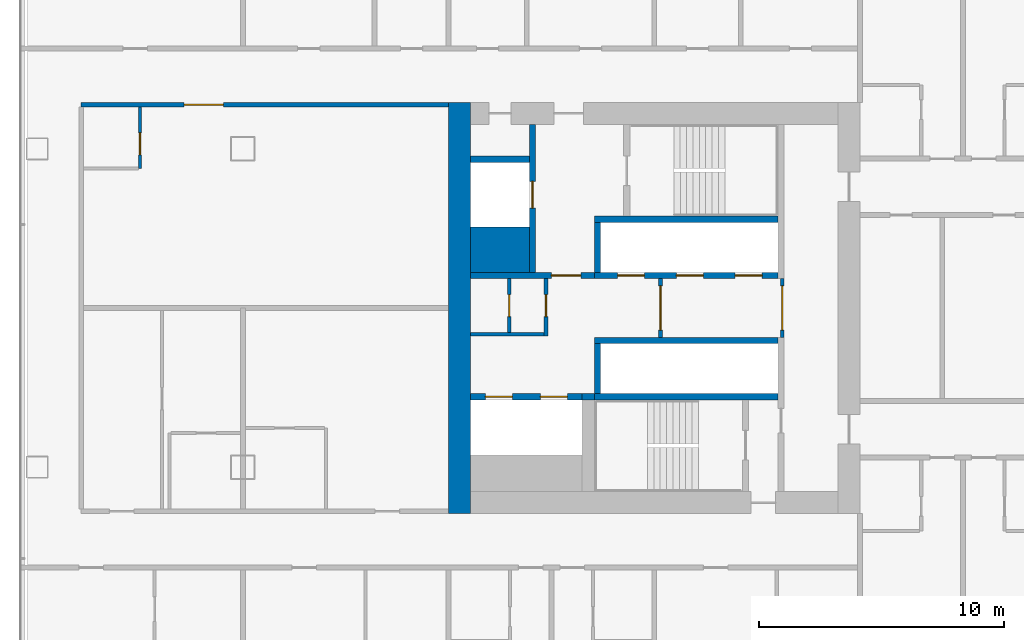
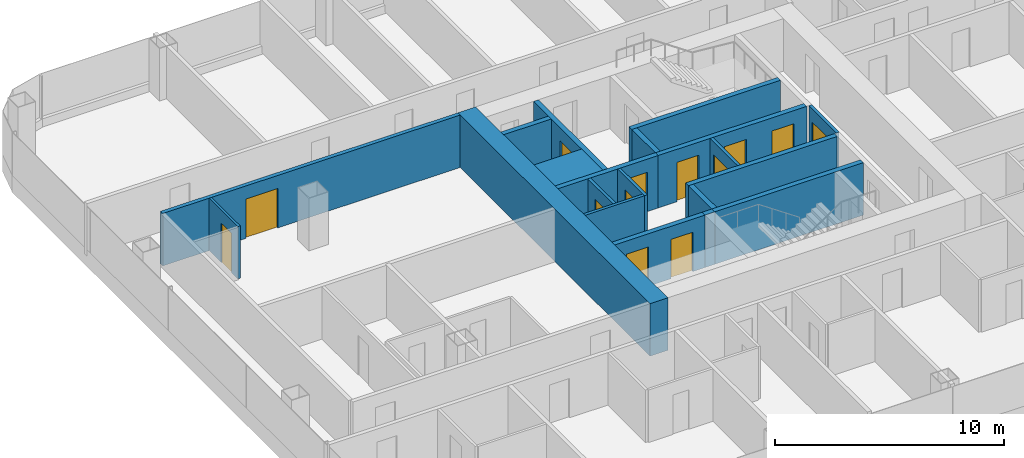
# One storey, part 14 of 29: 20 walls, 13 doors, 13 openings.
"""IFC4 building model written with IfcOpenShell, lengths in metres."""

from ifc_helpers import new_model, si_unit, direction, frame, frame_2d, origin, place, context, subcontext, project, spatial, rectangle, extrude, material, layer, layer_set, type_object, element, fill, save


model = new_model("IFC4")

# Units and contexts
model_context = context("Model", 3, precision=1e-05, world=origin(), true_north=direction((0.0, 1.0)))
body_context = subcontext(model_context, "Body", "Model", "MODEL_VIEW")
ifc_project = project(units=[si_unit("LENGTHUNIT", "METRE"), si_unit("AREAUNIT", "SQUARE_METRE"), si_unit("VOLUMEUNIT", "CUBIC_METRE"), si_unit("PLANEANGLEUNIT", "RADIAN"), si_unit("MASSUNIT", "GRAM", prefix="KILO")], contexts=[model_context])

# Site, building, storey
site_placement = place(None, origin())
site = spatial("IfcSite", under=ifc_project, at=site_placement, CompositionType="ELEMENT")
building_placement = place(site_placement, origin())
building = spatial("IfcBuilding", under=site, at=building_placement, Name="Hakoniwa Tower and Hamabe Station Hall", CompositionType="ELEMENT")
storey_placement = place(building_placement, frame((0.0, 0.0, 29.39990234375)))
storey = spatial("IfcBuildingStorey", under=building, at=storey_placement, Name="L07", CompositionType="ELEMENT", Elevation=29.39990234375)

# Wall, opening, door
ifc_material_1 = material(Name="Gypsum board partition")
ifc_layer_1 = layer(ifc_material_1, 0.14990234375)
ifc_layer_set_1 = layer_set([ifc_layer_1], Name="CORE PARTITION 150 EI 60")
wall_type_1 = type_object("IfcWallType", Name="CORE PARTITION 150 EI 60", PredefinedType="PARTITIONING", material=ifc_layer_set_1)
wall_1_placement = place(storey_placement, frame((-19.97509765625, -1.199951171875, 0.0), z_axis=(0.0, 0.0, 1.0), x_axis=(0.0, 1.0, 0.0)))
wall_1 = element("IfcWall", 1, at=wall_1_placement, inside=storey, type_object=wall_type_1, Name="Core partition PL0 west", PredefinedType="PARTITIONING", context=body_context, shape_type="SweptSolid", body=[
    extrude(rectangle(XDim=2.39990234375, YDim=0.14990234375, at=frame_2d((1.199951171875, 0.0))), origin(), (0.0, 0.0, 1.0), 2.800048828125),
])
opening_1_placement = place(wall_1_placement, frame((0.300048828125, 0.0, 0.0)))
opening_1 = element("IfcOpeningElement", 2, at=opening_1_placement, cuts=wall_1, Name="Opening CD-W-LP0-18", PredefinedType="OPENING", context=body_context, shape_type="SweptSolid", body=[
    extrude(rectangle(XDim=1.800048828125, YDim=2.10009765625, at=frame_2d((0.89990234375, 1.050048828125))), frame((0.0, 0.0849609375, 0.0), z_axis=(0.0, -1.0, 0.0), x_axis=(1.0, 0.0, 0.0)), (0.0, 0.0, 1.0), 0.169921875),
])
ifc_material_2 = material(Name="Steel fire door", Category="steel")
door_type_1 = type_object("IfcDoorType", Name="CORE DOOR 1800 FD60", OperationType="DOUBLE_DOOR_SINGLE_SWING", PredefinedType="DOOR", material=ifc_material_2)
door_1_placement = place(opening_1_placement, origin())
door_1 = element("IfcDoor", 3, at=door_1_placement, inside=storey, type_object=door_type_1, Name="Lift lobby partition door", OperationType="DOUBLE_DOOR_SINGLE_SWING", OverallHeight=2.10009765625, OverallWidth=1.800048828125, PredefinedType="DOOR", context=body_context, shape_type="SweptSolid", body=[
    extrude(rectangle(XDim=1.800048828125, YDim=2.10009765625, at=frame_2d((0.89990234375, 1.050048828125))), frame((0.0, 0.02490234375, 0.0), z_axis=(0.0, -1.0, 0.0), x_axis=(1.0, 0.0, 0.0)), (0.0, 0.0, 1.0), 0.050048828125),
])
fill(opening_1, door_1)

wall_2_placement = place(storey_placement, frame((-24.949951171875, -1.199951171875, 0.0), z_axis=(0.0, 0.0, 1.0), x_axis=(0.0, 1.0, 0.0)))
wall_2 = element("IfcWall", 4, at=wall_2_placement, inside=storey, type_object=wall_type_1, Name="Core partition PL1 west", PredefinedType="PARTITIONING", context=body_context, shape_type="SweptSolid", body=[
    extrude(rectangle(XDim=2.39990234375, YDim=0.14990234375, at=frame_2d((1.199951171875, 0.0))), origin(), (0.0, 0.0, 1.0), 2.800048828125),
])
opening_2_placement = place(wall_2_placement, frame((0.300048828125, 0.0, 0.0)))
opening_2 = element("IfcOpeningElement", 5, at=opening_2_placement, cuts=wall_2, Name="Opening CD-W-LP1-18", PredefinedType="OPENING", context=body_context, shape_type="SweptSolid", body=[
    extrude(rectangle(XDim=1.800048828125, YDim=2.10009765625, at=frame_2d((0.89990234375, 1.050048828125))), frame((0.0, 0.0849609375, 0.0), z_axis=(0.0, -1.0, 0.0), x_axis=(1.0, 0.0, 0.0)), (0.0, 0.0, 1.0), 0.169921875),
])
door_2_placement = place(opening_2_placement, origin())
door_2 = element("IfcDoor", 6, at=door_2_placement, inside=storey, type_object=door_type_1, Name="Lift lobby partition door", OperationType="DOUBLE_DOOR_SINGLE_SWING", OverallHeight=2.10009765625, OverallWidth=1.800048828125, PredefinedType="DOOR", context=body_context, shape_type="SweptSolid", body=[
    extrude(rectangle(XDim=1.800048828125, YDim=2.10009765625, at=frame_2d((0.89990234375, 1.050048828125))), frame((0.0, 0.02490234375, 0.0), z_axis=(0.0, -1.0, 0.0), x_axis=(1.0, 0.0, 0.0)), (0.0, 0.0, 1.0), 0.050048828125),
])
fill(opening_2, door_2)

wall_3_placement = place(storey_placement, frame((-29.625, -1.14990234375, 0.0), z_axis=(0.0, 0.0, 1.0), x_axis=(0.0, 1.0, 0.0)))
wall_3 = element("IfcWall", 7, at=wall_3_placement, inside=storey, type_object=wall_type_1, Name="Core partition PW0 west", PredefinedType="PARTITIONING", context=body_context, shape_type="SweptSolid", body=[
    extrude(rectangle(XDim=2.349853515625, YDim=0.14990234375, at=frame_2d((1.1748046875, 0.0))), origin(), (0.0, 0.0, 1.0), 2.800048828125),
])
opening_3_placement = place(wall_3_placement, frame((0.800048828125, 0.0, 0.0)))
opening_3 = element("IfcOpeningElement", 8, at=opening_3_placement, cuts=wall_3, Name="Opening CD-W-RM1-9", PredefinedType="OPENING", context=body_context, shape_type="SweptSolid", body=[
    extrude(rectangle(XDim=0.89990234375, YDim=2.10009765625, at=frame_2d((0.449951171875, 1.050048828125))), frame((0.0, 0.0849609375, 0.0), z_axis=(0.0, -1.0, 0.0), x_axis=(1.0, 0.0, 0.0)), (0.0, 0.0, 1.0), 0.169921875),
])
ifc_material_3 = material(Name="Steel fire door", Category="steel")
door_type_2 = type_object("IfcDoorType", Name="CORE DOOR 900 FD30", OperationType="NOTDEFINED", PredefinedType="DOOR", material=ifc_material_3)
door_3_placement = place(opening_3_placement, origin())
door_3 = element("IfcDoor", 9, at=door_3_placement, inside=storey, type_object=door_type_2, Name="Store room door", OperationType="SINGLE_SWING_RIGHT", OverallHeight=2.10009765625, OverallWidth=0.89990234375, PredefinedType="DOOR", context=body_context, shape_type="SweptSolid", body=[
    extrude(rectangle(XDim=0.89990234375, YDim=2.10009765625, at=frame_2d((0.449951171875, 1.050048828125))), frame((0.0, 0.02490234375, 0.0), z_axis=(0.0, -1.0, 0.0), x_axis=(1.0, 0.0, 0.0)), (0.0, 0.0, 1.0), 0.050048828125),
])
fill(opening_3, door_3)

# Wall
wall_4_placement = place(storey_placement, frame((-32.699951171875, -1.074951171875, 0.0), z_axis=(0.0, 0.0, 1.0), x_axis=(1.0, 0.0, 0.0)))
element("IfcWall", 10, at=wall_4_placement, inside=storey, type_object=wall_type_1, Name="Core partition PS west", PredefinedType="PARTITIONING", context=body_context, shape_type="SweptSolid", body=[
    extrude(rectangle(XDim=3.0, YDim=0.14990234375, at=frame_2d((1.5, 0.0))), origin(), (0.0, 0.0, 1.0), 2.800048828125),
])

# Wall, opening, door
wall_5_placement = place(storey_placement, frame((-31.125, -1.0, 0.0), z_axis=(0.0, 0.0, 1.0), x_axis=(0.0, 1.0, 0.0)))
wall_5 = element("IfcWall", 11, at=wall_5_placement, inside=storey, type_object=wall_type_1, Name="Core partition PW1 west", PredefinedType="PARTITIONING", context=body_context, shape_type="SweptSolid", body=[
    extrude(rectangle(XDim=2.199951171875, YDim=0.14990234375, at=frame_2d((1.10009765625, 0.0))), origin(), (0.0, 0.0, 1.0), 2.800048828125),
])
opening_4_placement = place(wall_5_placement, frame((0.64990234375, 0.0, 0.0)))
opening_4 = element("IfcOpeningElement", 12, at=opening_4_placement, cuts=wall_5, Name="Opening CD-W-RM2-9", PredefinedType="OPENING", context=body_context, shape_type="SweptSolid", body=[
    extrude(rectangle(XDim=0.89990234375, YDim=2.10009765625, at=frame_2d((0.449951171875, 1.050048828125))), frame((0.0, 0.0849609375, 0.0), z_axis=(0.0, -1.0, 0.0), x_axis=(1.0, 0.0, 0.0)), (0.0, 0.0, 1.0), 0.169921875),
])
door_4_placement = place(opening_4_placement, origin())
door_4 = element("IfcDoor", 13, at=door_4_placement, inside=storey, type_object=door_type_2, Name="Store room door", OperationType="SINGLE_SWING_RIGHT", OverallHeight=2.10009765625, OverallWidth=0.89990234375, PredefinedType="DOOR", context=body_context, shape_type="SweptSolid", body=[
    extrude(rectangle(XDim=0.89990234375, YDim=2.10009765625, at=frame_2d((0.449951171875, 1.050048828125))), frame((0.0, 0.02490234375, 0.0), z_axis=(0.0, -1.0, 0.0), x_axis=(1.0, 0.0, 0.0)), (0.0, 0.0, 1.0), 0.050048828125),
])
fill(opening_4, door_4)

# Walls
ifc_material_4 = material(Name="Concrete C80", Category="concrete")
ifc_layer_2 = layer(ifc_material_4, 0.89990234375)
ifc_layer_set_2 = layer_set([ifc_layer_2], Name="CORE WALL 900 C80")
wall_type_2 = type_object("IfcWallType", Name="CORE WALL 900 C80", PredefinedType="SHEAR", material=ifc_layer_set_2)
wall_6_placement = place(storey_placement, frame((-33.14990234375, -8.39990234375, 0.0), z_axis=(0.0, 0.0, 1.0), x_axis=(0.0, 1.0, 0.0)))
element("IfcWall", 14, at=wall_6_placement, inside=storey, type_object=wall_type_2, Name="Core wall OUTER west", PredefinedType="SHEAR", context=body_context, shape_type="SweptSolid", body=[
    extrude(rectangle(XDim=16.7998046875, YDim=0.89990234375, at=frame_2d((8.39990234375, 0.0))), origin(), (0.0, 0.0, 1.0), 2.800048828125),
])
ifc_material_5 = material(Name="Concrete C80", Category="concrete")
ifc_layer_3 = layer(ifc_material_5, 1.85009765625)
ifc_layer_set_3 = layer_set([ifc_layer_3], Name="CORE WEB WALL 1850 C80")
wall_type_3 = type_object("IfcWallType", Name="CORE WEB WALL 1850 C80", PredefinedType="SHEAR", material=ifc_layer_set_3)
wall_7_placement = place(storey_placement, frame((-32.699951171875, 2.375, 0.0), z_axis=(0.0, 0.0, 1.0), x_axis=(1.0, 0.0, 0.0)))
element("IfcWall", 15, at=wall_7_placement, inside=storey, type_object=wall_type_3, Name="Core wall CA west", PredefinedType="SHEAR", context=body_context, shape_type="SweptSolid", body=[
    extrude(rectangle(XDim=2.39990234375, YDim=1.85009765625, at=frame_2d((1.199951171875, 0.0))), origin(), (0.0, 0.0, 1.0), 2.800048828125),
])

# Wall, openings, doors
ifc_material_6 = material(Name="Concrete C80", Category="concrete")
ifc_layer_4 = layer(ifc_material_6, 0.25)
ifc_layer_set_4 = layer_set([ifc_layer_4], Name="CORE WEB WALL 250 C80")
wall_type_4 = type_object("IfcWallType", Name="CORE WEB WALL 250 C80", PredefinedType="SHEAR", material=ifc_layer_set_4)
wall_8_placement = place(storey_placement, frame((-27.64990234375, 1.324951171875, 0.0), z_axis=(0.0, 0.0, 1.0), x_axis=(1.0, 0.0, 0.0)))
wall_8 = element("IfcWall", 16, at=wall_8_placement, inside=storey, type_object=wall_type_4, Name="Core wall NF west", PredefinedType="SHEAR", context=body_context, shape_type="SweptSolid", body=[
    extrude(rectangle(XDim=7.5, YDim=0.25, at=frame_2d((3.75, 0.0))), origin(), (0.0, 0.0, 1.0), 2.800048828125),
])
opening_5_placement = place(wall_8_placement, frame((5.75, 0.0, 0.0)))
opening_5 = element("IfcOpeningElement", 17, at=opening_5_placement, cuts=wall_8, Name="Opening LD-LR1", PredefinedType="OPENING", context=body_context, shape_type="SweptSolid", body=[
    extrude(rectangle(XDim=1.10009765625, YDim=2.10009765625, at=frame_2d((0.550048828125, 1.050048828125))), frame((0.0, 0.135009765625, 0.0), z_axis=(0.0, -1.0, 0.0), x_axis=(1.0, 0.0, 0.0)), (0.0, 0.0, 1.0), 0.27001953125),
])
opening_6_placement = place(wall_8_placement, frame((3.35009765625, 0.0, 0.0)))
opening_6 = element("IfcOpeningElement", 18, at=opening_6_placement, cuts=wall_8, Name="Opening LD-LR2", PredefinedType="OPENING", context=body_context, shape_type="SweptSolid", body=[
    extrude(rectangle(XDim=1.10009765625, YDim=2.10009765625, at=frame_2d((0.550048828125, 1.050048828125))), frame((0.0, 0.135009765625, 0.0), z_axis=(0.0, -1.0, 0.0), x_axis=(1.0, 0.0, 0.0)), (0.0, 0.0, 1.0), 0.27001953125),
])
opening_7_placement = place(wall_8_placement, frame((0.949951171875, 0.0, 0.0)))
opening_7 = element("IfcOpeningElement", 19, at=opening_7_placement, cuts=wall_8, Name="Opening LD-LR3", PredefinedType="OPENING", context=body_context, shape_type="SweptSolid", body=[
    extrude(rectangle(XDim=1.10009765625, YDim=2.10009765625, at=frame_2d((0.550048828125, 1.050048828125))), frame((0.0, 0.135009765625, 0.0), z_axis=(0.0, -1.0, 0.0), x_axis=(1.0, 0.0, 0.0)), (0.0, 0.0, 1.0), 0.27001953125),
])
ifc_material_7 = material(Name="Stainless steel SUS304", Category="steel")
door_type_3 = type_object("IfcDoorType", Name="LIFT LANDING DOOR 1100 FD60", OperationType="DOUBLE_DOOR_SLIDING", PredefinedType="DOOR", material=ifc_material_7)
door_5_placement = place(opening_5_placement, origin())
door_5 = element("IfcDoor", 20, at=door_5_placement, inside=storey, type_object=door_type_3, Name="Lift landing door LR1 L07", OperationType="DOUBLE_DOOR_SLIDING", OverallHeight=2.10009765625, OverallWidth=1.10009765625, PredefinedType="DOOR", context=body_context, shape_type="SweptSolid", body=[
    extrude(rectangle(XDim=1.10009765625, YDim=2.10009765625, at=frame_2d((0.550048828125, 1.050048828125))), frame((0.0, 0.02490234375, 0.0), z_axis=(0.0, -1.0, 0.0), x_axis=(1.0, 0.0, 0.0)), (0.0, 0.0, 1.0), 0.050048828125),
])
fill(opening_5, door_5)
door_6_placement = place(opening_6_placement, origin())
door_6 = element("IfcDoor", 21, at=door_6_placement, inside=storey, type_object=door_type_3, Name="Lift landing door LR2 L07", OperationType="DOUBLE_DOOR_SLIDING", OverallHeight=2.10009765625, OverallWidth=1.10009765625, PredefinedType="DOOR", context=body_context, shape_type="SweptSolid", body=[
    extrude(rectangle(XDim=1.10009765625, YDim=2.10009765625, at=frame_2d((0.550048828125, 1.050048828125))), frame((0.0, 0.02490234375, 0.0), z_axis=(0.0, -1.0, 0.0), x_axis=(1.0, 0.0, 0.0)), (0.0, 0.0, 1.0), 0.050048828125),
])
fill(opening_6, door_6)
door_7_placement = place(opening_7_placement, origin())
door_7 = element("IfcDoor", 22, at=door_7_placement, inside=storey, type_object=door_type_3, Name="Lift landing door LR3 L07", OperationType="DOUBLE_DOOR_SLIDING", OverallHeight=2.10009765625, OverallWidth=1.10009765625, PredefinedType="DOOR", context=body_context, shape_type="SweptSolid", body=[
    extrude(rectangle(XDim=1.10009765625, YDim=2.10009765625, at=frame_2d((0.550048828125, 1.050048828125))), frame((0.0, 0.02490234375, 0.0), z_axis=(0.0, -1.0, 0.0), x_axis=(1.0, 0.0, 0.0)), (0.0, 0.0, 1.0), 0.050048828125),
])
fill(opening_7, door_7)

# Walls
wall_9_placement = place(storey_placement, frame((-27.52490234375, 1.449951171875, 0.0), z_axis=(0.0, 0.0, 1.0), x_axis=(0.0, 1.0, 0.0)))
element("IfcWall", 23, at=wall_9_placement, inside=storey, type_object=wall_type_4, Name="Core wall NE west", PredefinedType="SHEAR", context=body_context, shape_type="SweptSolid", body=[
    extrude(rectangle(XDim=2.050048828125, YDim=0.25, at=frame_2d((1.02490234375, 0.0))), origin(), (0.0, 0.0, 1.0), 2.800048828125),
])
wall_10_placement = place(storey_placement, frame((-27.64990234375, 3.625, 0.0), z_axis=(0.0, 0.0, 1.0), x_axis=(1.0, 0.0, 0.0)))
element("IfcWall", 24, at=wall_10_placement, inside=storey, type_object=wall_type_4, Name="Core wall NR west", PredefinedType="SHEAR", context=body_context, shape_type="SweptSolid", body=[
    extrude(rectangle(XDim=7.5, YDim=0.25, at=frame_2d((3.75, 0.0))), origin(), (0.0, 0.0, 1.0), 2.800048828125),
])

# Wall, opening, door
wall_11_placement = place(storey_placement, frame((-32.699951171875, 1.324951171875, 0.0), z_axis=(0.0, 0.0, 1.0), x_axis=(1.0, 0.0, 0.0)))
wall_11 = element("IfcWall", 25, at=wall_11_placement, inside=storey, type_object=wall_type_4, Name="Core wall ELN west", PredefinedType="SHEAR", context=body_context, shape_type="SweptSolid", body=[
    extrude(rectangle(XDim=5.050048828125, YDim=0.25, at=frame_2d((2.52490234375, 0.0))), origin(), (0.0, 0.0, 1.0), 2.800048828125),
])
opening_8_placement = place(wall_11_placement, frame((3.300048828125, 0.0, 0.0)))
opening_8 = element("IfcOpeningElement", 26, at=opening_8_placement, cuts=wall_11, Name="Opening CD-W-FL-12", PredefinedType="OPENING", context=body_context, shape_type="SweptSolid", body=[
    extrude(rectangle(XDim=1.199951171875, YDim=2.10009765625, at=frame_2d((0.60009765625, 1.050048828125))), frame((0.0, 0.135009765625, 0.0), z_axis=(0.0, -1.0, 0.0), x_axis=(1.0, 0.0, 0.0)), (0.0, 0.0, 1.0), 0.27001953125),
])
ifc_material_8 = material(Name="Steel fire door", Category="steel")
door_type_4 = type_object("IfcDoorType", Name="CORE DOOR 1200 FD60", OperationType="DOUBLE_DOOR_SINGLE_SWING", PredefinedType="DOOR", material=ifc_material_8)
door_8_placement = place(opening_8_placement, origin())
door_8 = element("IfcDoor", 27, at=door_8_placement, inside=storey, type_object=door_type_4, Name="Stair vestibule door to the fire-fighting lobby", OperationType="DOUBLE_DOOR_SINGLE_SWING", OverallHeight=2.10009765625, OverallWidth=1.199951171875, PredefinedType="DOOR", context=body_context, shape_type="SweptSolid", body=[
    extrude(rectangle(XDim=1.199951171875, YDim=2.10009765625, at=frame_2d((0.60009765625, 1.050048828125))), frame((0.0, 0.02490234375, 0.0), z_axis=(0.0, -1.0, 0.0), x_axis=(1.0, 0.0, 0.0)), (0.0, 0.0, 1.0), 0.050048828125),
])
fill(opening_8, door_8)

wall_12_placement = place(storey_placement, frame((-30.175048828125, 1.449951171875, 0.0), z_axis=(0.0, 0.0, 1.0), x_axis=(0.0, 1.0, 0.0)))
wall_12 = element("IfcWall", 28, at=wall_12_placement, inside=storey, type_object=wall_type_4, Name="Core wall FFF west", PredefinedType="SHEAR", context=body_context, shape_type="SweptSolid", body=[
    extrude(rectangle(XDim=6.050048828125, YDim=0.25, at=frame_2d((3.02490234375, 0.0))), origin(), (0.0, 0.0, 1.0), 2.800048828125),
])
opening_9_placement = place(wall_12_placement, frame((2.625, 0.0, 0.0)))
opening_9 = element("IfcOpeningElement", 29, at=opening_9_placement, cuts=wall_12, Name="Opening LD-FF1", PredefinedType="OPENING", context=body_context, shape_type="SweptSolid", body=[
    extrude(rectangle(XDim=1.10009765625, YDim=2.10009765625, at=frame_2d((0.550048828125, 1.050048828125))), frame((0.0, 0.135009765625, 0.0), z_axis=(0.0, -1.0, 0.0), x_axis=(1.0, 0.0, 0.0)), (0.0, 0.0, 1.0), 0.27001953125),
])
door_9_placement = place(opening_9_placement, origin())
door_9 = element("IfcDoor", 30, at=door_9_placement, inside=storey, type_object=door_type_3, Name="Lift landing door FF1 L07", OperationType="DOUBLE_DOOR_SLIDING", OverallHeight=2.10009765625, OverallWidth=1.10009765625, PredefinedType="DOOR", context=body_context, shape_type="SweptSolid", body=[
    extrude(rectangle(XDim=1.10009765625, YDim=2.10009765625, at=frame_2d((0.550048828125, 1.050048828125))), frame((0.0, 0.02490234375, 0.0), z_axis=(0.0, -1.0, 0.0), x_axis=(1.0, 0.0, 0.0)), (0.0, 0.0, 1.0), 0.050048828125),
])
fill(opening_9, door_9)

# Walls
wall_13_placement = place(storey_placement, frame((-32.699951171875, 6.074951171875, 0.0), z_axis=(0.0, 0.0, 1.0), x_axis=(1.0, 0.0, 0.0)))
element("IfcWall", 31, at=wall_13_placement, inside=storey, type_object=wall_type_4, Name="Core wall C2 west", PredefinedType="SHEAR", context=body_context, shape_type="SweptSolid", body=[
    extrude(rectangle(XDim=2.39990234375, YDim=0.25, at=frame_2d((1.199951171875, 0.0))), origin(), (0.0, 0.0, 1.0), 2.800048828125),
])
wall_14_placement = place(storey_placement, frame((-27.64990234375, -1.324951171875, 0.0), z_axis=(0.0, 0.0, 1.0), x_axis=(1.0, 0.0, 0.0)))
element("IfcWall", 32, at=wall_14_placement, inside=storey, type_object=wall_type_4, Name="Core wall SF west", PredefinedType="SHEAR", context=body_context, shape_type="SweptSolid", body=[
    extrude(rectangle(XDim=7.5, YDim=0.25, at=frame_2d((3.75, 0.0))), origin(), (0.0, 0.0, 1.0), 2.800048828125),
])
wall_15_placement = place(storey_placement, frame((-27.52490234375, -3.5, 0.0), z_axis=(0.0, 0.0, 1.0), x_axis=(0.0, 1.0, 0.0)))
element("IfcWall", 33, at=wall_15_placement, inside=storey, type_object=wall_type_4, Name="Core wall SE west", PredefinedType="SHEAR", context=body_context, shape_type="SweptSolid", body=[
    extrude(rectangle(XDim=2.050048828125, YDim=0.25, at=frame_2d((1.02490234375, 0.0))), origin(), (0.0, 0.0, 1.0), 2.800048828125),
])
wall_16_placement = place(storey_placement, frame((-27.64990234375, -3.625, 0.0), z_axis=(0.0, 0.0, 1.0), x_axis=(1.0, 0.0, 0.0)))
element("IfcWall", 34, at=wall_16_placement, inside=storey, type_object=wall_type_4, Name="Core wall SR west", PredefinedType="SHEAR", context=body_context, shape_type="SweptSolid", body=[
    extrude(rectangle(XDim=7.5, YDim=0.25, at=frame_2d((3.75, 0.0))), origin(), (0.0, 0.0, 1.0), 2.800048828125),
])

# Wall, openings, doors
wall_17_placement = place(storey_placement, frame((-32.699951171875, -3.625, 0.0), z_axis=(0.0, 0.0, 1.0), x_axis=(1.0, 0.0, 0.0)))
wall_17 = element("IfcWall", 35, at=wall_17_placement, inside=storey, type_object=wall_type_4, Name="Core wall SEF west", PredefinedType="SHEAR", context=body_context, shape_type="SweptSolid", body=[
    extrude(rectangle(XDim=4.550048828125, YDim=0.25, at=frame_2d((2.27490234375, 0.0))), origin(), (0.0, 0.0, 1.0), 2.800048828125),
])
opening_10_placement = place(wall_17_placement, frame((2.85009765625, 0.0, 0.0)))
opening_10 = element("IfcOpeningElement", 36, at=opening_10_placement, cuts=wall_17, Name="Opening LD-SV1", PredefinedType="OPENING", context=body_context, shape_type="SweptSolid", body=[
    extrude(rectangle(XDim=1.10009765625, YDim=2.10009765625, at=frame_2d((0.550048828125, 1.050048828125))), frame((0.0, 0.135009765625, 0.0), z_axis=(0.0, -1.0, 0.0), x_axis=(1.0, 0.0, 0.0)), (0.0, 0.0, 1.0), 0.27001953125),
])
opening_11_placement = place(wall_17_placement, frame((0.60009765625, 0.0, 0.0)))
opening_11 = element("IfcOpeningElement", 37, at=opening_11_placement, cuts=wall_17, Name="Opening LD-SV2", PredefinedType="OPENING", context=body_context, shape_type="SweptSolid", body=[
    extrude(rectangle(XDim=1.10009765625, YDim=2.10009765625, at=frame_2d((0.550048828125, 1.050048828125))), frame((0.0, 0.135009765625, 0.0), z_axis=(0.0, -1.0, 0.0), x_axis=(1.0, 0.0, 0.0)), (0.0, 0.0, 1.0), 0.27001953125),
])
door_10_placement = place(opening_10_placement, origin())
door_10 = element("IfcDoor", 38, at=door_10_placement, inside=storey, type_object=door_type_3, Name="Lift landing door SV1 L07", OperationType="DOUBLE_DOOR_SLIDING", OverallHeight=2.10009765625, OverallWidth=1.10009765625, PredefinedType="DOOR", context=body_context, shape_type="SweptSolid", body=[
    extrude(rectangle(XDim=1.10009765625, YDim=2.10009765625, at=frame_2d((0.550048828125, 1.050048828125))), frame((0.0, 0.02490234375, 0.0), z_axis=(0.0, -1.0, 0.0), x_axis=(1.0, 0.0, 0.0)), (0.0, 0.0, 1.0), 0.050048828125),
])
fill(opening_10, door_10)
door_11_placement = place(opening_11_placement, origin())
door_11 = element("IfcDoor", 39, at=door_11_placement, inside=storey, type_object=door_type_3, Name="Lift landing door SV2 L07", OperationType="DOUBLE_DOOR_SLIDING", OverallHeight=2.10009765625, OverallWidth=1.10009765625, PredefinedType="DOOR", context=body_context, shape_type="SweptSolid", body=[
    extrude(rectangle(XDim=1.10009765625, YDim=2.10009765625, at=frame_2d((0.550048828125, 1.050048828125))), frame((0.0, 0.02490234375, 0.0), z_axis=(0.0, -1.0, 0.0), x_axis=(1.0, 0.0, 0.0)), (0.0, 0.0, 1.0), 0.050048828125),
])
fill(opening_11, door_11)

# Wall
wall_18_placement = place(storey_placement, frame((-28.14990234375, -3.625, 0.0), z_axis=(0.0, 0.0, 1.0), x_axis=(1.0, 0.0, 0.0)))
element("IfcWall", 40, at=wall_18_placement, inside=storey, type_object=wall_type_4, Name="Core wall SRK west", PredefinedType="SHEAR", context=body_context, shape_type="SweptSolid", body=[
    extrude(rectangle(XDim=0.5, YDim=0.25, at=frame_2d((0.25, 0.0))), origin(), (0.0, 0.0, 1.0), 2.800048828125),
])

# Wall, opening, door
ifc_material_9 = material(Name="Fire-rated gypsum board partition", Category="gypsum")
ifc_layer_5 = layer(ifc_material_9, 0.199951171875)
ifc_layer_set_5 = layer_set([ifc_layer_5], Name="Corridor Wall 200")
wall_type_5 = type_object("IfcWallType", Name="Corridor Wall 200", PredefinedType="PARTITIONING", material=ifc_layer_set_5)
wall_19_placement = place(storey_placement, frame((-48.60009765625, 8.300048828125, 0.0), z_axis=(0.0, 0.0, 1.0), x_axis=(1.0, 0.0, 0.0)))
wall_19 = element("IfcWall", 41, at=wall_19_placement, inside=storey, type_object=wall_type_5, Name="GW-L07-033", PredefinedType="PARTITIONING", context=body_context, shape_type="SweptSolid", body=[
    extrude(rectangle(XDim=15.0, YDim=0.199951171875, at=frame_2d((7.5, 0.0))), origin(), (0.0, 0.0, 1.0), 2.800048828125),
])
opening_12_placement = place(wall_19_placement, frame((4.199951171875, 0.0, 0.0)))
opening_12 = element("IfcOpeningElement", 42, at=opening_12_placement, cuts=wall_19, Name="Opening GD-G1D0-46", PredefinedType="OPENING", context=body_context, shape_type="SweptSolid", body=[
    extrude(rectangle(XDim=1.60009765625, YDim=2.10009765625, at=frame_2d((0.800048828125, 1.050048828125))), frame((0.0, 0.10986328125, 0.0), z_axis=(0.0, -1.0, 0.0), x_axis=(1.0, 0.0, 0.0)), (0.0, 0.0, 1.0), 0.219970703125),
])
ifc_material_10 = material(Name="Timber door leaf", Category="wood")
door_type_5 = type_object("IfcDoorType", Name="Double Door 1600", OperationType="DOUBLE_DOOR_SINGLE_SWING", PredefinedType="DOOR", material=ifc_material_10)
door_12_placement = place(opening_12_placement, origin())
door_12 = element("IfcDoor", 43, at=door_12_placement, inside=storey, type_object=door_type_5, Name="Door GD-G1D0-46", OperationType="DOUBLE_DOOR_SINGLE_SWING", OverallHeight=2.10009765625, OverallWidth=1.60009765625, PredefinedType="DOOR", context=body_context, shape_type="SweptSolid", body=[
    extrude(rectangle(XDim=1.60009765625, YDim=2.10009765625, at=frame_2d((0.800048828125, 1.050048828125))), frame((0.0, 0.02490234375, 0.0), z_axis=(0.0, -1.0, 0.0), x_axis=(1.0, 0.0, 0.0)), (0.0, 0.0, 1.0), 0.050048828125),
])
fill(opening_12, door_12)

ifc_material_11 = material(Name="Gypsum board partition", Category="gypsum")
ifc_layer_6 = layer(ifc_material_11, 0.125)
ifc_layer_set_6 = layer_set([ifc_layer_6], Name="Room Partition 125")
wall_type_6 = type_object("IfcWallType", Name="Room Partition 125", PredefinedType="PARTITIONING", material=ifc_layer_set_6)
wall_20_placement = place(storey_placement, frame((-46.199951171875, 5.699951171875, 0.0), z_axis=(0.0, 0.0, 1.0), x_axis=(0.0, 1.0, 0.0)))
wall_20 = element("IfcWall", 44, at=wall_20_placement, inside=storey, type_object=wall_type_6, Name="GW-L07-044", PredefinedType="PARTITIONING", context=body_context, shape_type="SweptSolid", body=[
    extrude(rectangle(XDim=2.5, YDim=0.125, at=frame_2d((1.25, 0.0))), origin(), (0.0, 0.0, 1.0), 2.800048828125),
])
opening_13_placement = place(wall_20_placement, frame((0.550048828125, 0.0, 0.0)))
opening_13 = element("IfcOpeningElement", 45, at=opening_13_placement, cuts=wall_20, Name="Opening GD-G1D0-61", PredefinedType="OPENING", context=body_context, shape_type="SweptSolid", body=[
    extrude(rectangle(XDim=0.89990234375, YDim=2.10009765625, at=frame_2d((0.449951171875, 1.050048828125))), frame((0.0, 0.072509765625, 0.0), z_axis=(0.0, -1.0, 0.0), x_axis=(1.0, 0.0, 0.0)), (0.0, 0.0, 1.0), 0.14501953125),
])
ifc_material_12 = material(Name="Timber door leaf", Category="wood")
door_type_6 = type_object("IfcDoorType", Name="Suite Interior Door 900", OperationType="SINGLE_SWING_LEFT", PredefinedType="DOOR", material=ifc_material_12)
door_13_placement = place(opening_13_placement, origin())
door_13 = element("IfcDoor", 46, at=door_13_placement, inside=storey, type_object=door_type_6, Name="Door GD-G1D0-61", OperationType="SINGLE_SWING_RIGHT", OverallHeight=2.10009765625, OverallWidth=0.89990234375, PredefinedType="DOOR", context=body_context, shape_type="SweptSolid", body=[
    extrude(rectangle(XDim=0.89990234375, YDim=2.10009765625, at=frame_2d((0.449951171875, 1.050048828125))), frame((0.0, 0.02490234375, 0.0), z_axis=(0.0, -1.0, 0.0), x_axis=(1.0, 0.0, 0.0)), (0.0, 0.0, 1.0), 0.050048828125),
])
fill(opening_13, door_13)

save(model, "model.ifc")
